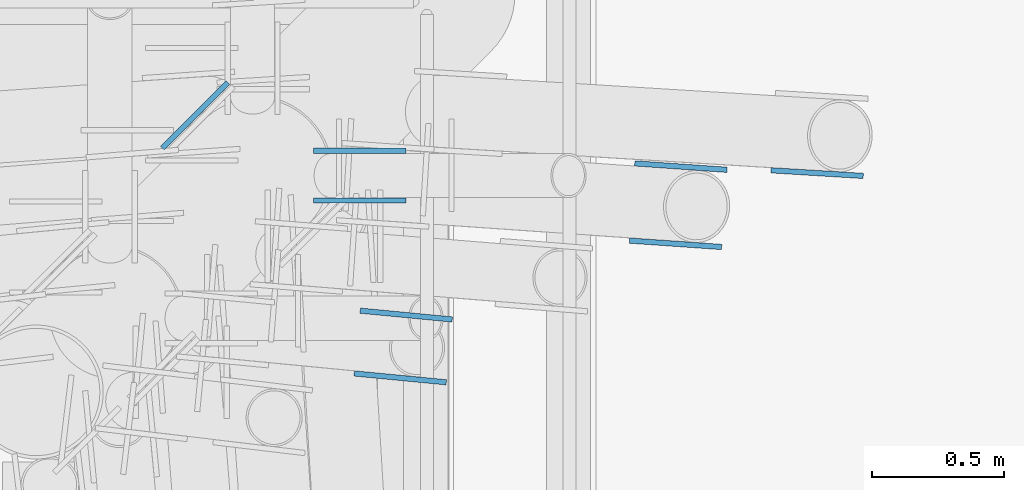
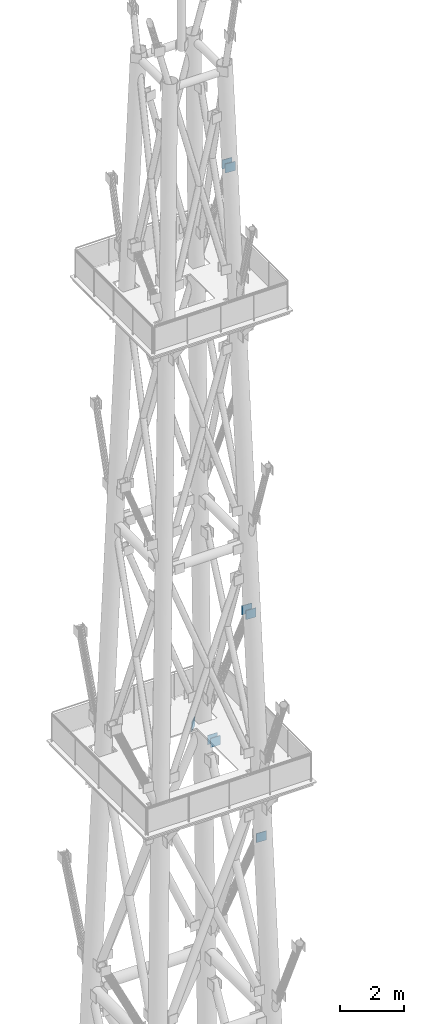
# One storey, part 23 of 25: 8 discrete accessories.
"""IFC4 building model written with IfcOpenShell, lengths in metres."""

from ifc_helpers import new_model, si_unit, direction, frame, origin, origin_2d, place, context, subcontext, project, spatial, rectangle, extrude, element, save


model = new_model("IFC4")

# Units and contexts
model_context = context("Model", 3, precision=1e-05, world=origin(), true_north=direction((0.0, 1.0)))
body_context = subcontext(model_context, "Body", "Model", "MODEL_VIEW")
ifc_project = project(units=[si_unit("LENGTHUNIT", "METRE"), si_unit("AREAUNIT", "SQUARE_METRE"), si_unit("VOLUMEUNIT", "CUBIC_METRE"), si_unit("PLANEANGLEUNIT", "RADIAN"), si_unit("MASSUNIT", "GRAM", prefix="KILO")], contexts=[model_context])

# Site, building, storey
site_placement = place(None, origin())
site = spatial("IfcSite", under=ifc_project, at=site_placement, CompositionType="ELEMENT")
building_placement = place(site_placement, origin())
building = spatial("IfcBuilding", under=site, at=building_placement, Name="Vidyagriha Tower", CompositionType="ELEMENT")
storey_placement = place(building_placement, frame((0.0, 0.0, 318.39990234375)))
storey = spatial("IfcBuildingStorey", under=building, at=storey_placement, Name="RF", CompositionType="ELEMENT", Elevation=318.39990234375)

# Discrete accessories
for number, where, z_axis, x_axis, name in (
    (1, (1.592529296875, 15.0380859375, 22.650146484375), (0.0, 0.0, 1.0), (-0.707106781187, -0.707106781187, 0.0), "End plate ASTM A572 Grade 50 20mm"),
    (2, (3.947021484375, 14.819580078125, 17.6357421875), (0.0, 0.0, 1.0), (0.998150322287, -0.060794194772, 0.0), "End plate ASTM A572 Grade 50 20mm"),
    (3, (3.431396484375, 14.84423828125, 26.552978515625), (0.0, 0.0, 1.0), (0.997599229403, -0.069251552292, 0.0), "End plate ASTM A572 Grade 50 20mm"),
    (4, (3.4111328125, 14.552001953125, 26.552978515625), (0.0, 0.0, 1.0), (0.997599229403, -0.069251552292, 0.0), "End plate ASTM A572 Grade 50 20mm"),
    (5, (2.3916015625, 14.2822265625, 44.381103515625), (0.0, 0.0, 1.0), (0.995413913266, -0.095661597706, 0.0), "End plate ASTM A572 Grade 50 20mm"),
    (6, (2.368896484375, 14.04443359375, 44.381103515625), (0.0, 0.0, 1.0), (0.995413913266, -0.095661597706, 0.0), "End plate ASTM A572 Grade 50 20mm"),
    (7, (2.216552734375, 14.716064453125, 21.96337890625), (0.0, 0.0, 1.0), (-1.0, 0.0, 0.0), "End plate ASTM A572 Grade 50 20mm"),
    (8, (2.216552734375, 14.904052734375, 21.96337890625), (0.0, 0.0, 1.0), (-1.0, 0.0, 0.0), "End plate ASTM A572 Grade 50 20mm"),
):
    element("IfcDiscreteAccessory", number, at=place(storey_placement, frame(where, z_axis=z_axis, x_axis=x_axis)), inside=storey, Name=name, ObjectType="END PLATE", PredefinedType="USERDEFINED", context=body_context, shape_type="SweptSolid", body=[
        extrude(rectangle(XDim=0.35009765625, YDim=0.02001953125, at=origin_2d()), origin(), (0.0, 0.0, 1.0), 0.35009765625),
    ])

save(model, "model.ifc")
